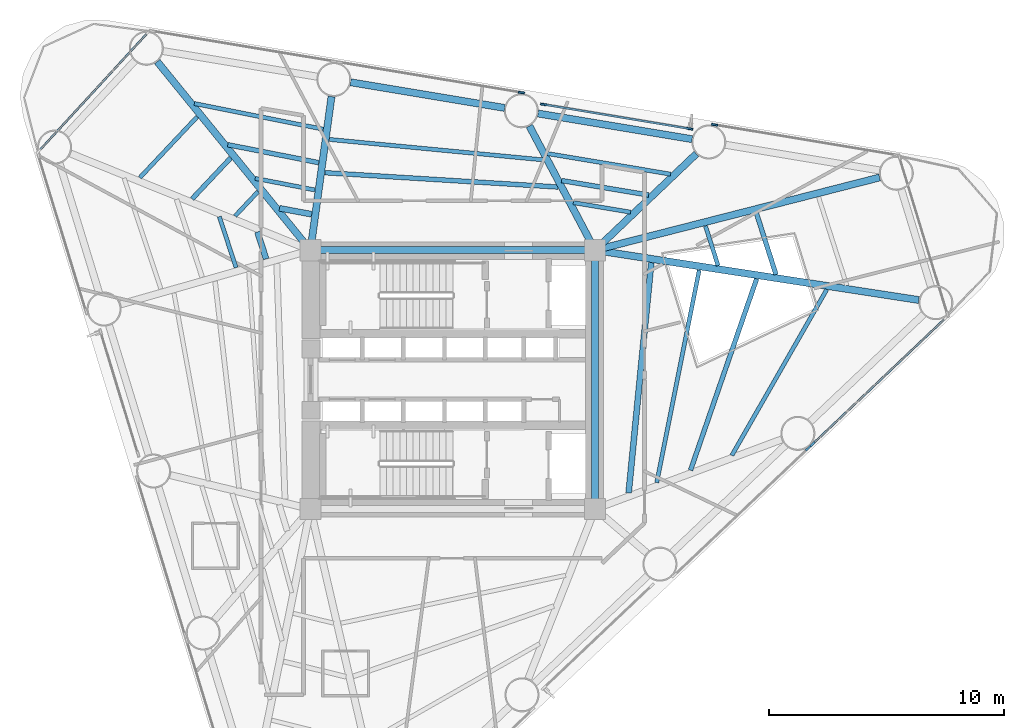
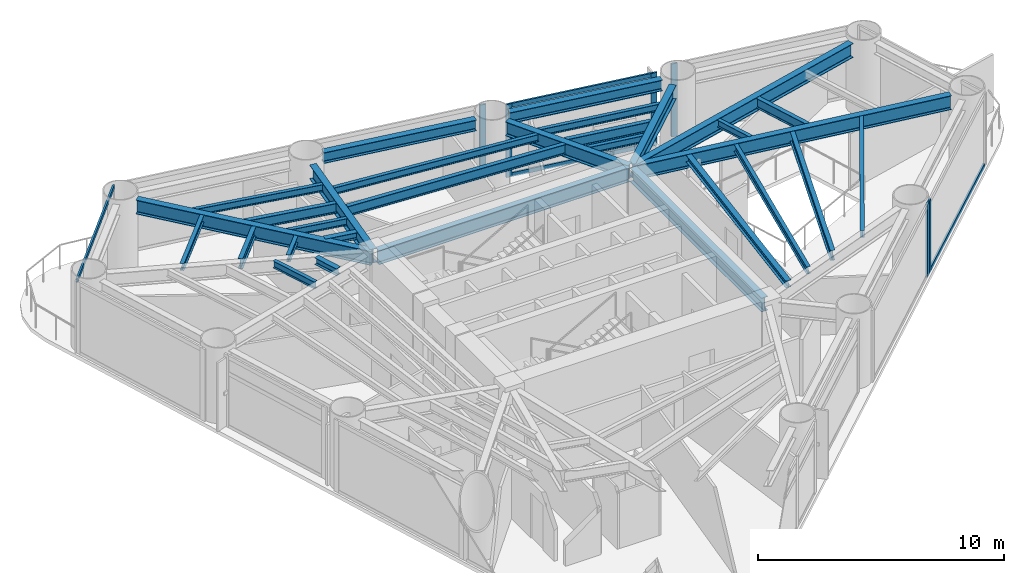
# One storey, part 3 of 10: 30 beams, 11 members, 6 elements without a shape of their own.
"""IFC4 building model written with IfcOpenShell, lengths in metres."""

from ifc_helpers import new_model, si_unit, direction, frame, origin, origin_2d, place, context, subcontext, project, spatial, rectangle, i_section, extrude, source, transform, mapped, material, layer, layer_set, material_profile, profile_set, type_object, element, aggregate, save


model = new_model("IFC4")

# Units and contexts
model_context = context("Model", 3, precision=1e-05, world=origin(), true_north=direction((0.0, 1.0)))
body_context = subcontext(model_context, "Body", "Model", "MODEL_VIEW")
ifc_project = project(units=[si_unit("LENGTHUNIT", "METRE"), si_unit("AREAUNIT", "SQUARE_METRE"), si_unit("VOLUMEUNIT", "CUBIC_METRE"), si_unit("PLANEANGLEUNIT", "RADIAN"), si_unit("MASSUNIT", "GRAM", prefix="KILO")], contexts=[model_context])

# Site, building, storey
site_placement = place(None, origin())
site = spatial("IfcSite", under=ifc_project, at=site_placement, CompositionType="ELEMENT")
building_placement = place(site_placement, origin())
building = spatial("IfcBuilding", under=site, at=building_placement, Name="Yunling Apex Tower", CompositionType="ELEMENT")
storey_placement = place(building_placement, frame((0.0, 0.0, 116.14990234375)))
storey = spatial("IfcBuildingStorey", under=building, at=storey_placement, Name="L29", CompositionType="ELEMENT", Elevation=116.14990234375)

# Beams
ifc_material_1 = material(Name="Steel Q355B", Category="steel")
ifc_material_profile_1 = material_profile(ifc_material_1, i_section(OverallWidth=0.300048828125, OverallDepth=0.699951171875, WebThickness=0.012939453125, FlangeThickness=0.02392578125, FilletRadius=0.02587890625, at=origin_2d()))
ifc_profile_set_1 = profile_set([ifc_material_profile_1], Name="Steel Q355B")
beam_type_1 = type_object("IfcBeamType", Name="BG-PRI-3", PredefinedType="USERDEFINED", material=ifc_profile_set_1)
shared_shape_1 = source(origin(), body_context, "Body", "SweptSolid", [
    extrude(i_section(OverallWidth=0.300048828125, OverallDepth=0.699951171875, WebThickness=0.012939453125, FlangeThickness=0.02392578125, FilletRadius=0.02587890625, at=origin_2d()), origin(), (0.0, 0.0, 1.0), 11.7998046875),
])
beam_1_placement = place(storey_placement, frame((5.89990234375, 5.5, 3.18017578125), z_axis=(-1.0, 0.0, 0.0), x_axis=(0.0, -1.0, 0.0)))
element("IfcBeam", 1, at=beam_1_placement, inside=storey, type_object=beam_type_1, Name="L29 Core Ring Tie Beam 3", ObjectType="GIRDER", PredefinedType="USERDEFINED", context=body_context, shape_type="MappedRepresentation", body=[
    mapped(shared_shape_1, transform((0.0, 0.0, 0.0), scale=1.0)),
])
shared_shape_2 = source(origin(), body_context, "Body", "SweptSolid", [
    extrude(i_section(OverallWidth=0.300048828125, OverallDepth=0.699951171875, WebThickness=0.012939453125, FlangeThickness=0.02392578125, FilletRadius=0.02587890625, at=origin_2d()), origin(), (0.0, 0.0, 1.0), 10.7001953125),
])
beam_2_placement = place(storey_placement, frame((6.050048828125, -5.35009765625, 3.18017578125), z_axis=(0.0, 1.0, 0.0), x_axis=(-1.0, 0.0, 0.0)))
element("IfcBeam", 2, at=beam_2_placement, inside=storey, type_object=beam_type_1, Name="L29 Core Ring Tie Beam 2", ObjectType="GIRDER", PredefinedType="USERDEFINED", context=body_context, shape_type="MappedRepresentation", body=[
    mapped(shared_shape_2, transform((0.0, 0.0, 0.0), scale=1.0)),
])
ifc_material_profile_2 = material_profile(ifc_material_1, i_section(OverallWidth=0.300048828125, OverallDepth=0.5400390625, WebThickness=0.011962890625, FlangeThickness=0.02001953125, FilletRadius=0.02392578125, at=origin_2d()))
ifc_profile_set_2 = profile_set([ifc_material_profile_2], Name="Steel Q355B")
beam_type_2 = type_object("IfcBeamType", Name="BP-SPN-1", PredefinedType="SPANDREL", material=ifc_profile_set_2)
shared_shape_3 = source(origin(), body_context, "Body", "SweptSolid", [
    extrude(i_section(OverallWidth=0.300048828125, OverallDepth=0.5400390625, WebThickness=0.011962890625, FlangeThickness=0.02001953125, FilletRadius=0.02392578125, at=origin_2d()), origin(), (0.0, 0.0, 1.0), 6.641845703125),
])
for number, where, z_axis, x_axis, name in (
    (3, (10.176025390625, 10.21923828125, 3.260009765625), (-0.986402863526, 0.164345340146, 0.0), (-0.164345340146, -0.986402863526, 0.0), "L29 Perimeter Spandrel Beam 7"),
    (4, (2.206298828125, 11.547119140625, 3.260009765625), (-0.986396904036, 0.164381105081, 0.0), (-0.164381105081, -0.986396904036, 0.0), "L29 Perimeter Spandrel Beam 8"),
):
    element("IfcBeam", number, at=place(storey_placement, frame(where, z_axis=z_axis, x_axis=x_axis)), inside=storey, type_object=beam_type_2, Name=name, PredefinedType="SPANDREL", context=body_context, shape_type="MappedRepresentation", body=[
        mapped(shared_shape_3, transform((0.0, 0.0, 0.0), scale=1.0)),
    ])
shared_shape_4 = source(origin(), body_context, "Body", "SweptSolid", [
    extrude(i_section(OverallWidth=0.300048828125, OverallDepth=0.699951171875, WebThickness=0.012939453125, FlangeThickness=0.02392578125, FilletRadius=0.02587890625, at=origin_2d()), origin(), (0.0, 0.0, 1.0), 12.404052734375),
])
beam_3_placement = place(storey_placement, frame((18.14501953125, 8.591552734375, 3.18017578125), z_axis=(-0.968850823376, -0.247645072723, 0.0), x_axis=(0.247645072723, -0.968850823376, 0.0)))
element("IfcBeam", 5, at=beam_3_placement, inside=storey, type_object=beam_type_1, Name="L29 Radial Primary Girder R06", ObjectType="GIRDER", PredefinedType="USERDEFINED", context=body_context, shape_type="MappedRepresentation", body=[
    mapped(shared_shape_4, transform((0.0, 0.0, 0.0), scale=1.0)),
])
shared_shape_5 = source(origin(), body_context, "Body", "SweptSolid", [
    extrude(i_section(OverallWidth=0.300048828125, OverallDepth=0.699951171875, WebThickness=0.012939453125, FlangeThickness=0.02392578125, FilletRadius=0.02587890625, at=origin_2d()), origin(), (0.0, 0.0, 1.0), 5.861572265625),
])
beam_4_placement = place(storey_placement, frame((10.354248046875, 9.595703125, 3.18017578125), z_axis=(-0.724444921608, -0.689332688588, 0.0), x_axis=(0.689332688588, -0.724444921608, 0.0)))
element("IfcBeam", 6, at=beam_4_placement, inside=storey, type_object=beam_type_1, Name="L29 Radial Primary Girder R07", ObjectType="GIRDER", PredefinedType="USERDEFINED", context=body_context, shape_type="MappedRepresentation", body=[
    mapped(shared_shape_5, transform((0.0, 0.0, 0.0), scale=1.0)),
])
shared_shape_6 = source(origin(), body_context, "Body", "SweptSolid", [
    extrude(i_section(OverallWidth=0.300048828125, OverallDepth=0.699951171875, WebThickness=0.012939453125, FlangeThickness=0.02392578125, FilletRadius=0.02587890625, at=origin_2d()), origin(), (0.0, 0.0, 1.0), 5.8935546875),
])
beam_5_placement = place(storey_placement, frame((3.258056640625, 10.781005859375, 3.18017578125), z_axis=(0.467396595772, -0.884047748858, 0.0), x_axis=(0.884047748858, 0.467396595772, 0.0)))
element("IfcBeam", 7, at=beam_5_placement, inside=storey, type_object=beam_type_1, Name="L29 Radial Primary Girder R08", ObjectType="GIRDER", PredefinedType="USERDEFINED", context=body_context, shape_type="MappedRepresentation", body=[
    mapped(shared_shape_6, transform((0.0, 0.0, 0.0), scale=1.0)),
])
shared_shape_7 = source(origin(), body_context, "Body", "SweptSolid", [
    extrude(i_section(OverallWidth=0.300048828125, OverallDepth=0.699951171875, WebThickness=0.012939453125, FlangeThickness=0.02392578125, FilletRadius=0.02587890625, at=origin_2d()), origin(), (0.0, 0.0, 1.0), 6.51171875),
])
beam_6_placement = place(storey_placement, frame((-5.154052734375, 12.03076171875, 3.18017578125), z_axis=(-0.135907866291, -0.990721480478, 0.0), x_axis=(0.990721480478, -0.135907866291, 0.0)))
element("IfcBeam", 8, at=beam_6_placement, inside=storey, type_object=beam_type_1, Name="L29 Radial Primary Girder R09", ObjectType="GIRDER", PredefinedType="USERDEFINED", context=body_context, shape_type="MappedRepresentation", body=[
    mapped(shared_shape_7, transform((0.0, 0.0, 0.0), scale=1.0)),
])
shared_shape_8 = source(origin(), body_context, "Body", "SweptSolid", [
    extrude(i_section(OverallWidth=0.300048828125, OverallDepth=0.699951171875, WebThickness=0.012939453125, FlangeThickness=0.02392578125, FilletRadius=0.02587890625, at=origin_2d()), origin(), (0.0, 0.0, 1.0), 10.248046875),
])
beam_7_placement = place(storey_placement, frame((-12.56201171875, 13.51611328125, 3.18017578125), z_axis=(0.630531635465, -0.776163550212, 0.0), x_axis=(0.776163550212, 0.630531635465, 0.0)))
element("IfcBeam", 9, at=beam_7_placement, inside=storey, type_object=beam_type_1, Name="L29 Radial Primary Girder R10", ObjectType="GIRDER", PredefinedType="USERDEFINED", context=body_context, shape_type="MappedRepresentation", body=[
    mapped(shared_shape_8, transform((0.0, 0.0, 0.0), scale=1.0)),
])
ifc_material_profile_3 = material_profile(ifc_material_1, i_section(OverallWidth=0.199951171875, OverallDepth=0.5, WebThickness=0.010009765625, FlangeThickness=0.01611328125, FilletRadius=0.02001953125, at=origin_2d()))
ifc_profile_set_3 = profile_set([ifc_material_profile_3], Name="Steel Q355B")
beam_type_3 = type_object("IfcBeamType", Name="BS-SEC-2", PredefinedType="BEAM", material=ifc_profile_set_3)
shared_shape_9 = source(origin(), body_context, "Body", "SweptSolid", [
    extrude(i_section(OverallWidth=0.199951171875, OverallDepth=0.5, WebThickness=0.010009765625, FlangeThickness=0.01611328125, FilletRadius=0.02001953125, at=origin_2d()), origin(), (0.0, 0.0, 1.0), 3.751708984375),
])
beam_8_placement = place(storey_placement, frame((8.328125, 7.84423828125, 3.280029296875), z_axis=(-0.986342871573, 0.164705008112, 0.0), x_axis=(-0.164705008112, -0.986342871573, 0.0)))
element("IfcBeam", 10, at=beam_8_placement, inside=storey, type_object=beam_type_3, Name="L29 Composite Floor Beam BS-7", PredefinedType="BEAM", context=body_context, shape_type="MappedRepresentation", body=[
    mapped(shared_shape_9, transform((0.0, 0.0, 0.0), scale=1.0)),
])
ifc_material_profile_4 = material_profile(ifc_material_1, i_section(OverallWidth=0.175048828125, OverallDepth=0.35009765625, WebThickness=0.007080078125, FlangeThickness=0.010986328125, FilletRadius=0.013916015625, at=origin_2d()))
ifc_profile_set_4 = profile_set([ifc_material_profile_4], Name="Steel Q355B")
beam_type_4 = type_object("IfcBeamType", Name="BJ-JST-1", PredefinedType="JOIST", material=ifc_profile_set_4)
shared_shape_10 = source(origin(), body_context, "Body", "SweptSolid", [
    extrude(i_section(OverallWidth=0.175048828125, OverallDepth=0.35009765625, WebThickness=0.007080078125, FlangeThickness=0.010986328125, FilletRadius=0.013916015625, at=origin_2d()), origin(), (0.0, 0.0, 1.0), 5.31298828125),
])
beam_9_placement = place(storey_placement, frame((9.26220703125, 8.733154296875, 3.35498046875), z_axis=(-0.9863379805, 0.164734295835, 0.0), x_axis=(-0.164734295835, -0.9863379805, 0.0)))
element("IfcBeam", 11, at=beam_9_placement, inside=storey, type_object=beam_type_4, Name="L29 Composite Floor Joist BJ1-7", PredefinedType="JOIST", context=body_context, shape_type="MappedRepresentation", body=[
    mapped(shared_shape_10, transform((0.0, 0.0, 0.0), scale=1.0)),
])
shared_shape_11 = source(origin(), body_context, "Body", "SweptSolid", [
    extrude(i_section(OverallWidth=0.175048828125, OverallDepth=0.35009765625, WebThickness=0.007080078125, FlangeThickness=0.010986328125, FilletRadius=0.013916015625, at=origin_2d()), origin(), (0.0, 0.0, 1.0), 2.4736328125),
])
beam_10_placement = place(storey_placement, frame((7.563720703125, 7.116943359375, 3.35498046875), z_axis=(-0.986340524185, 0.164719064925, 0.0), x_axis=(-0.164719064925, -0.986340524185, 0.0)))
element("IfcBeam", 12, at=beam_10_placement, inside=storey, type_object=beam_type_4, Name="L29 Composite Floor Joist BJ3-7", PredefinedType="JOIST", context=body_context, shape_type="MappedRepresentation", body=[
    mapped(shared_shape_11, transform((0.0, 0.0, 0.0), scale=1.0)),
])
shared_shape_12 = source(origin(), body_context, "Body", "SweptSolid", [
    extrude(i_section(OverallWidth=0.199951171875, OverallDepth=0.5, WebThickness=0.010009765625, FlangeThickness=0.01611328125, FilletRadius=0.02001953125, at=origin_2d()), origin(), (0.0, 0.0, 1.0), 9.931396484375),
])
beam_11_placement = place(storey_placement, frame((4.4755859375, 8.185791015625, 3.280029296875), z_axis=(-0.998115763158, 0.061358971106, 0.0), x_axis=(-0.061358971106, -0.998115763158, 0.0)))
element("IfcBeam", 13, at=beam_11_placement, inside=storey, type_object=beam_type_3, Name="L29 Composite Floor Beam BS-8", PredefinedType="BEAM", context=body_context, shape_type="MappedRepresentation", body=[
    mapped(shared_shape_12, transform((0.0, 0.0, 0.0), scale=1.0)),
])
shared_shape_13 = source(origin(), body_context, "Body", "SweptSolid", [
    extrude(i_section(OverallWidth=0.175048828125, OverallDepth=0.35009765625, WebThickness=0.007080078125, FlangeThickness=0.010986328125, FilletRadius=0.013916015625, at=origin_2d()), origin(), (0.0, 0.0, 1.0), 9.154296875),
])
beam_12_placement = place(storey_placement, frame((3.8701171875, 9.33740234375, 3.35498046875), z_axis=(-0.99545727606, 0.095209303851, 0.0), x_axis=(-0.095209303851, -0.99545727606, 0.0)))
element("IfcBeam", 14, at=beam_12_placement, inside=storey, type_object=beam_type_4, Name="L29 Composite Floor Joist BJ1-8", PredefinedType="JOIST", context=body_context, shape_type="MappedRepresentation", body=[
    mapped(shared_shape_13, transform((0.0, 0.0, 0.0), scale=1.0)),
])
shared_shape_14 = source(origin(), body_context, "Body", "SweptSolid", [
    extrude(i_section(OverallWidth=0.199951171875, OverallDepth=0.5, WebThickness=0.010009765625, FlangeThickness=0.01611328125, FilletRadius=0.02001953125, at=origin_2d()), origin(), (0.0, 0.0, 1.0), 3.93603515625),
])
beam_13_placement = place(storey_placement, frame((-5.700439453125, 9.22314453125, 3.280029296875), z_axis=(-0.981071392503, 0.193646386002, 0.0), x_axis=(-0.193646386002, -0.981071392503, 0.0)))
element("IfcBeam", 15, at=beam_13_placement, inside=storey, type_object=beam_type_3, Name="L29 Composite Floor Beam BS-9", PredefinedType="BEAM", context=body_context, shape_type="MappedRepresentation", body=[
    mapped(shared_shape_14, transform((0.0, 0.0, 0.0), scale=1.0)),
])
shared_shape_15 = source(origin(), body_context, "Body", "SweptSolid", [
    extrude(i_section(OverallWidth=0.175048828125, OverallDepth=0.35009765625, WebThickness=0.007080078125, FlangeThickness=0.010986328125, FilletRadius=0.013916015625, at=origin_2d()), origin(), (0.0, 0.0, 1.0), 5.5859375),
])
beam_14_placement = place(storey_placement, frame((-5.505615234375, 10.642822265625, 3.35498046875), z_axis=(-0.980703200221, 0.195502514243, 0.0), x_axis=(-0.195502514243, -0.980703200221, 0.0)))
element("IfcBeam", 16, at=beam_14_placement, inside=storey, type_object=beam_type_4, Name="L29 Composite Floor Joist BJ1-9", PredefinedType="JOIST", context=body_context, shape_type="MappedRepresentation", body=[
    mapped(shared_shape_15, transform((0.0, 0.0, 0.0), scale=1.0)),
])
shared_shape_16 = source(origin(), body_context, "Body", "SweptSolid", [
    extrude(i_section(OverallWidth=0.175048828125, OverallDepth=0.35009765625, WebThickness=0.007080078125, FlangeThickness=0.010986328125, FilletRadius=0.013916015625, at=origin_2d()), origin(), (0.0, 0.0, 1.0), 2.586181640625),
])
beam_15_placement = place(storey_placement, frame((-5.85986328125, 8.061279296875, 3.35498046875), z_axis=(-0.981668903035, 0.190594241295, 0.0), x_axis=(-0.190594241295, -0.981668903035, 0.0)))
element("IfcBeam", 17, at=beam_15_placement, inside=storey, type_object=beam_type_4, Name="L29 Composite Floor Joist BJ3-9", PredefinedType="JOIST", context=body_context, shape_type="MappedRepresentation", body=[
    mapped(shared_shape_16, transform((0.0, 0.0, 0.0), scale=1.0)),
])
ifc_material_profile_5 = material_profile(ifc_material_1, i_section(OverallWidth=0.25, OverallDepth=0.340087890625, WebThickness=0.009033203125, FlangeThickness=0.013916015625, FilletRadius=0.01806640625, at=origin_2d()))
ifc_profile_set_5 = profile_set([ifc_material_profile_5], Name="Steel Q355B")
beam_type_5 = type_object("IfcBeamType", Name="BJ-JST-2", PredefinedType="JOIST", material=ifc_profile_set_5)
shared_shape_17 = source(origin(), body_context, "Body", "SweptSolid", [
    extrude(i_section(OverallWidth=0.25, OverallDepth=0.340087890625, WebThickness=0.009033203125, FlangeThickness=0.013916015625, FilletRadius=0.01806640625, at=origin_2d()), origin(), (0.0, 0.0, 1.0), 1.38671875),
])
beam_16_placement = place(storey_placement, frame((-6.001708984375, 7.028076171875, 3.360107421875), z_axis=(-0.982993560329, 0.183640029272, 0.0), x_axis=(-0.183640029272, -0.982993560329, 0.0)))
element("IfcBeam", 18, at=beam_16_placement, inside=storey, type_object=beam_type_5, Name="L29 Composite Floor Joist BJ2-9", PredefinedType="JOIST", context=body_context, shape_type="MappedRepresentation", body=[
    mapped(shared_shape_17, transform((0.0, 0.0, 0.0), scale=1.0)),
])
shared_shape_18 = source(origin(), body_context, "Body", "SweptSolid", [
    extrude(i_section(OverallWidth=0.199951171875, OverallDepth=0.5, WebThickness=0.010009765625, FlangeThickness=0.01611328125, FilletRadius=0.02001953125, at=origin_2d()), origin(), (0.0, 0.0, 1.0), 2.385498046875),
])
beam_17_placement = place(storey_placement, frame((-9.44091796875, 9.422607421875, 3.280029296875), z_axis=(-0.685604091154, -0.727974608207, 0.0), x_axis=(0.727974608207, -0.685604091154, 0.0)))
element("IfcBeam", 19, at=beam_17_placement, inside=storey, type_object=beam_type_3, Name="L29 Composite Floor Beam BS-10", PredefinedType="BEAM", context=body_context, shape_type="MappedRepresentation", body=[
    mapped(shared_shape_18, transform((0.0, 0.0, 0.0), scale=1.0)),
])
shared_shape_19 = source(origin(), body_context, "Body", "SweptSolid", [
    extrude(i_section(OverallWidth=0.175048828125, OverallDepth=0.35009765625, WebThickness=0.007080078125, FlangeThickness=0.010986328125, FilletRadius=0.013916015625, at=origin_2d()), origin(), (0.0, 0.0, 1.0), 3.558349609375),
])
beam_18_placement = place(storey_placement, frame((-10.862548828125, 11.172607421875, 3.35498046875), z_axis=(-0.685976545908, -0.727623651666, 0.0), x_axis=(0.727623651666, -0.685976545908, 0.0)))
element("IfcBeam", 20, at=beam_18_placement, inside=storey, type_object=beam_type_4, Name="L29 Composite Floor Joist BJ1-10", PredefinedType="JOIST", context=body_context, shape_type="MappedRepresentation", body=[
    mapped(shared_shape_19, transform((0.0, 0.0, 0.0), scale=1.0)),
])
shared_shape_20 = source(origin(), body_context, "Body", "SweptSolid", [
    extrude(i_section(OverallWidth=0.175048828125, OverallDepth=0.35009765625, WebThickness=0.007080078125, FlangeThickness=0.010986328125, FilletRadius=0.013916015625, at=origin_2d()), origin(), (0.0, 0.0, 1.0), 1.42578125),
])
beam_19_placement = place(storey_placement, frame((-8.277587890625, 7.99072265625, 3.35498046875), z_axis=(-0.68493728069, -0.728602032334, 0.0), x_axis=(0.728602032334, -0.68493728069, 0.0)))
element("IfcBeam", 21, at=beam_19_placement, inside=storey, type_object=beam_type_4, Name="L29 Composite Floor Joist BJ3-10", PredefinedType="JOIST", context=body_context, shape_type="MappedRepresentation", body=[
    mapped(shared_shape_20, transform((0.0, 0.0, 0.0), scale=1.0)),
])
shared_shape_21 = source(origin(), body_context, "Body", "SweptSolid", [
    extrude(i_section(OverallWidth=0.175048828125, OverallDepth=0.35009765625, WebThickness=0.007080078125, FlangeThickness=0.010986328125, FilletRadius=0.013916015625, at=origin_2d()), origin(), (0.0, 0.0, 1.0), 2.277099609375),
])
beam_20_placement = place(storey_placement, frame((-9.92138671875, 6.927978515625, 3.35498046875), z_axis=(0.311044342957, -0.950395400196, 0.0), x_axis=(0.950395400196, 0.311044342957, 0.0)))
element("IfcBeam", 22, at=beam_20_placement, inside=storey, type_object=beam_type_4, Name="L29 Composite Floor Joist BJ3-11", PredefinedType="JOIST", context=body_context, shape_type="MappedRepresentation", body=[
    mapped(shared_shape_21, transform((0.0, 0.0, 0.0), scale=1.0)),
])
shared_shape_22 = source(origin(), body_context, "Body", "SweptSolid", [
    extrude(i_section(OverallWidth=0.25, OverallDepth=0.340087890625, WebThickness=0.009033203125, FlangeThickness=0.013916015625, FilletRadius=0.01806640625, at=origin_2d()), origin(), (0.0, 0.0, 1.0), 1.2041015625),
])
beam_21_placement = place(storey_placement, frame((-8.302490234375, 6.275146484375, 3.360107421875), z_axis=(0.306173262139, -0.951975805129, 0.0), x_axis=(0.951975805129, 0.306173262139, 0.0)))
element("IfcBeam", 23, at=beam_21_placement, inside=storey, type_object=beam_type_5, Name="L29 Composite Floor Joist BJ2-11", PredefinedType="JOIST", context=body_context, shape_type="MappedRepresentation", body=[
    mapped(shared_shape_22, transform((0.0, 0.0, 0.0), scale=1.0)),
])
shared_shape_23 = source(origin(), body_context, "Body", "SweptSolid", [
    extrude(i_section(OverallWidth=0.300048828125, OverallDepth=0.699951171875, WebThickness=0.012939453125, FlangeThickness=0.02392578125, FilletRadius=0.02587890625, at=origin_2d()), origin(), (0.0, 0.0, 1.0), 13.844970703125),
])
beam_22_placement = place(storey_placement, frame((19.81298828125, 3.382080078125, 3.18017578125), z_axis=(-0.988366192759, 0.15209296174, 0.0), x_axis=(-0.15209296174, -0.988366192759, 0.0)))
element("IfcBeam", 24, at=beam_22_placement, inside=storey, type_object=beam_type_1, Name="L29 Radial Primary Girder R05", ObjectType="GIRDER", PredefinedType="USERDEFINED", context=body_context, shape_type="MappedRepresentation", body=[
    mapped(shared_shape_23, transform((0.0, 0.0, 0.0), scale=1.0)),
])
shared_shape_24 = source(origin(), body_context, "Body", "SweptSolid", [
    extrude(i_section(OverallWidth=0.199951171875, OverallDepth=0.5, WebThickness=0.010009765625, FlangeThickness=0.01611328125, FilletRadius=0.02001953125, at=origin_2d()), origin(), (0.0, 0.0, 1.0), 8.611572265625),
])
beam_23_placement = place(storey_placement, frame((10.107666015625, -3.856201171875, 3.280029296875), z_axis=(0.326449335214, 0.945214701292, 0.0), x_axis=(-0.945214701292, 0.326449335214, 0.0)))
element("IfcBeam", 25, at=beam_23_placement, inside=storey, type_object=beam_type_3, Name="L29 Composite Floor Beam BS-4", PredefinedType="BEAM", context=body_context, shape_type="MappedRepresentation", body=[
    mapped(shared_shape_24, transform((0.0, 0.0, 0.0), scale=1.0)),
])
shared_shape_25 = source(origin(), body_context, "Body", "SweptSolid", [
    extrude(i_section(OverallWidth=0.175048828125, OverallDepth=0.35009765625, WebThickness=0.007080078125, FlangeThickness=0.010986328125, FilletRadius=0.013916015625, at=origin_2d()), origin(), (0.0, 0.0, 1.0), 8.130615234375),
])
beam_24_placement = place(storey_placement, frame((11.8642578125, -3.224365234375, 3.35498046875), z_axis=(0.496620683831, 0.867967681651, 0.0), x_axis=(-0.867967681651, 0.496620683831, 0.0)))
element("IfcBeam", 26, at=beam_24_placement, inside=storey, type_object=beam_type_4, Name="L29 Composite Floor Joist BJ1-4", PredefinedType="JOIST", context=body_context, shape_type="MappedRepresentation", body=[
    mapped(shared_shape_25, transform((0.0, 0.0, 0.0), scale=1.0)),
])
shared_shape_26 = source(origin(), body_context, "Body", "SweptSolid", [
    extrude(i_section(OverallWidth=0.175048828125, OverallDepth=0.35009765625, WebThickness=0.007080078125, FlangeThickness=0.010986328125, FilletRadius=0.013916015625, at=origin_2d()), origin(), (0.0, 0.0, 1.0), 9.21337890625),
])
beam_25_placement = place(storey_placement, frame((8.671875, -4.3779296875, 3.35498046875), z_axis=(0.195876623967, 0.980628547506, 0.0), x_axis=(-0.980628547506, 0.195876623967, 0.0)))
element("IfcBeam", 27, at=beam_25_placement, inside=storey, type_object=beam_type_4, Name="L29 Composite Floor Joist BJ3-4", PredefinedType="JOIST", context=body_context, shape_type="MappedRepresentation", body=[
    mapped(shared_shape_26, transform((0.0, 0.0, 0.0), scale=1.0)),
])
shared_shape_27 = source(origin(), body_context, "Body", "SweptSolid", [
    extrude(i_section(OverallWidth=0.25, OverallDepth=0.340087890625, WebThickness=0.009033203125, FlangeThickness=0.013916015625, FilletRadius=0.01806640625, at=origin_2d()), origin(), (0.0, 0.0, 1.0), 9.832763671875),
])
beam_26_placement = place(storey_placement, frame((7.47705078125, -4.81494140625, 3.360107421875), z_axis=(0.097900767026, 0.995196181572, 0.0), x_axis=(-0.995196181572, 0.097900767026, 0.0)))
element("IfcBeam", 28, at=beam_26_placement, inside=storey, type_object=beam_type_5, Name="L29 Composite Floor Joist BJ2-4", PredefinedType="JOIST", context=body_context, shape_type="MappedRepresentation", body=[
    mapped(shared_shape_27, transform((0.0, 0.0, 0.0), scale=1.0)),
])
shared_shape_28 = source(origin(), body_context, "Body", "SweptSolid", [
    extrude(i_section(OverallWidth=0.199951171875, OverallDepth=0.5, WebThickness=0.010009765625, FlangeThickness=0.01611328125, FilletRadius=0.02001953125, at=origin_2d()), origin(), (0.0, 0.0, 1.0), 2.7568359375),
])
beam_27_placement = place(storey_placement, frame((13.743408203125, 4.4609375, 3.280029296875), z_axis=(-0.303766544246, 0.952746496502, 0.0), x_axis=(-0.952746496502, -0.303766544246, 0.0)))
element("IfcBeam", 29, at=beam_27_placement, inside=storey, type_object=beam_type_3, Name="L29 Composite Floor Beam BS-5", PredefinedType="BEAM", context=body_context, shape_type="MappedRepresentation", body=[
    mapped(shared_shape_28, transform((0.0, 0.0, 0.0), scale=1.0)),
])
shared_shape_29 = source(origin(), body_context, "Body", "SweptSolid", [
    extrude(i_section(OverallWidth=0.175048828125, OverallDepth=0.35009765625, WebThickness=0.007080078125, FlangeThickness=0.010986328125, FilletRadius=0.013916015625, at=origin_2d()), origin(), (0.0, 0.0, 1.0), 1.777587890625),
])
beam_28_placement = place(storey_placement, frame((11.280517578125, 4.840087890625, 3.35498046875), z_axis=(-0.302557348008, 0.953131182559, 0.0), x_axis=(-0.953131182559, -0.302557348008, 0.0)))
element("IfcBeam", 30, at=beam_28_placement, inside=storey, type_object=beam_type_4, Name="L29 Composite Floor Joist BJ3-5", PredefinedType="JOIST", context=body_context, shape_type="MappedRepresentation", body=[
    mapped(shared_shape_29, transform((0.0, 0.0, 0.0), scale=1.0)),
])

# Curtain wall, member
ifc_material_2 = material(Name="Bronze anodised aluminium", Category="aluminium")
ifc_layer = layer(ifc_material_2, 0.260009765625)
ifc_layer_set = layer_set([ifc_layer], Name="Bronze anodised aluminium")
curtain_wall_type = type_object("IfcCurtainWallType", Name="CW-SYS-2", PredefinedType="NOTDEFINED", material=ifc_layer_set)
curtain_wall_1_placement = place(storey_placement, origin())
curtain_wall_1 = element("IfcCurtainWall", 31, at=curtain_wall_1_placement, inside=storey, type_object=curtain_wall_type, Name="CW-L29-F1-B3", PredefinedType="NOTDEFINED")
ifc_material_profile_6 = material_profile(ifc_material_2, rectangle(XDim=0.0849609375, YDim=0.260009765625, at=origin_2d()))
ifc_profile_set_6 = profile_set([ifc_material_profile_6], Name="Bronze anodised aluminium")
member_type_1 = type_object("IfcMemberType", Name="CW-MUL-2", PredefinedType="MULLION", material=ifc_profile_set_6)
shared_shape_30 = source(origin(), body_context, "Body", "SweptSolid", [
    extrude(rectangle(XDim=0.0849609375, YDim=0.260009765625, at=origin_2d()), origin(), (0.0, 0.0, 1.0), 3.6298828125),
])
member_1_placement = place(storey_placement, frame((15.106689453125, -2.923095703125, -0.0498046875), z_axis=(0.0, 0.0, 1.0), x_axis=(-0.687861264918, 0.72584218686, 0.0)))
member_1 = element("IfcMember", 32, at=member_1_placement, type_object=member_type_1, Name="CW-SYS-2 mullion 2", PredefinedType="MULLION", context=body_context, shape_type="MappedRepresentation", body=[
    mapped(shared_shape_30, transform((0.0, 0.0, 0.0), scale=1.0)),
])
aggregate(curtain_wall_1, [member_1])

curtain_wall_2_placement = place(storey_placement, origin())
curtain_wall_2 = element("IfcCurtainWall", 33, at=curtain_wall_2_placement, inside=storey, type_object=curtain_wall_type, Name="CW-L29-F1-B4", PredefinedType="NOTDEFINED")
member_2_placement = place(storey_placement, frame((15.28466796875, -2.754638671875, -0.0498046875), z_axis=(0.0, 0.0, 1.0), x_axis=(-0.687861264918, 0.72584218686, 0.0)))
member_2 = element("IfcMember", 34, at=member_2_placement, type_object=member_type_1, Name="CW-SYS-2 mullion 1", PredefinedType="MULLION", context=body_context, shape_type="MappedRepresentation", body=[
    mapped(shared_shape_30, transform((0.0, 0.0, 0.0), scale=1.0)),
])

curtain_wall_3_placement = place(storey_placement, origin())
curtain_wall_3 = element("IfcCurtainWall", 35, at=curtain_wall_3_placement, inside=storey, type_object=curtain_wall_type, Name="CW-L29-F2-B1", PredefinedType="NOTDEFINED")
member_3_placement = place(storey_placement, frame((11.131103515625, 10.83056640625, -0.0498046875), z_axis=(0.0, 0.0, 1.0), x_axis=(-0.16436008369, -0.98640040698, 0.0)))
member_3 = element("IfcMember", 36, at=member_3_placement, type_object=member_type_1, Name="CW-SYS-2 mullion 2", PredefinedType="MULLION", context=body_context, shape_type="MappedRepresentation", body=[
    mapped(shared_shape_30, transform((0.0, 0.0, 0.0), scale=1.0)),
])
aggregate(curtain_wall_3, [member_3])

# Curtain wall, members
curtain_wall_4_placement = place(storey_placement, origin())
curtain_wall_4 = element("IfcCurtainWall", 37, at=curtain_wall_4_placement, inside=storey, type_object=curtain_wall_type, Name="CW-L29-F2-B2", PredefinedType="NOTDEFINED")
member_4_placement = place(storey_placement, frame((10.078857421875, 10.6611328125, -0.0498046875), z_axis=(0.0, 0.0, 1.0), x_axis=(-0.164355844023, -0.986401113409, 0.0)))
member_4 = element("IfcMember", 38, at=member_4_placement, type_object=member_type_1, Name="CW-SYS-2 mullion 1", PredefinedType="MULLION", context=body_context, shape_type="MappedRepresentation", body=[
    mapped(shared_shape_30, transform((0.0, 0.0, 0.0), scale=1.0)),
])
member_5_placement = place(storey_placement, frame((3.85986328125, 11.697509765625, -0.0498046875), z_axis=(0.0, 0.0, 1.0), x_axis=(-0.164355844023, -0.986401113409, 0.0)))
member_5 = element("IfcMember", 39, at=member_5_placement, type_object=member_type_1, Name="CW-SYS-2 mullion 2", PredefinedType="MULLION", context=body_context, shape_type="MappedRepresentation", body=[
    mapped(shared_shape_30, transform((0.0, 0.0, 0.0), scale=1.0)),
])

# Curtain wall, member
curtain_wall_5_placement = place(storey_placement, origin())
curtain_wall_5 = element("IfcCurtainWall", 40, at=curtain_wall_5_placement, inside=storey, type_object=curtain_wall_type, Name="CW-L29-F2-B3", PredefinedType="NOTDEFINED")
member_6_placement = place(storey_placement, frame((2.91943359375, 12.198974609375, -0.0498046875), z_axis=(0.0, 0.0, 1.0), x_axis=(-0.164362130784, -0.986400065878, 0.0)))
member_6 = element("IfcMember", 41, at=member_6_placement, type_object=member_type_1, Name="CW-SYS-2 mullion 1", PredefinedType="MULLION", context=body_context, shape_type="MappedRepresentation", body=[
    mapped(shared_shape_30, transform((0.0, 0.0, 0.0), scale=1.0)),
])
aggregate(curtain_wall_5, [member_6])

# Member
ifc_material_profile_7 = material_profile(ifc_material_2, rectangle(XDim=0.0849609375, YDim=0.199951171875, at=origin_2d()))
ifc_profile_set_7 = profile_set([ifc_material_profile_7], Name="Bronze anodised aluminium")
member_type_2 = type_object("IfcMemberType", Name="CW-TRN-2", PredefinedType="USERDEFINED", material=ifc_profile_set_7)
shared_shape_31 = source(origin(), body_context, "Body", "SweptSolid", [
    extrude(rectangle(XDim=0.0849609375, YDim=0.199951171875, at=origin_2d()), origin(), (0.0, 0.0, 1.0), 7.75830078125),
])
member_7_placement = place(storey_placement, frame((15.312255859375, -2.728271484375, 0.04248046875), z_axis=(0.725842697135, 0.687860726467, 0.0), x_axis=(-0.687860726467, 0.725842697135, 0.0)))
member_7 = element("IfcMember", 42, at=member_7_placement, type_object=member_type_2, Name="CW-SYS-2 transom 1.1", ObjectType="TRANSOM", PredefinedType="USERDEFINED", context=body_context, shape_type="MappedRepresentation", body=[
    mapped(shared_shape_31, transform((0.0, 0.0, 0.0), scale=1.0)),
])

aggregate(curtain_wall_2, [member_2, member_7])

shared_shape_32 = source(origin(), body_context, "Body", "SweptSolid", [
    extrude(rectangle(XDim=0.0849609375, YDim=0.199951171875, at=origin_2d()), origin(), (0.0, 0.0, 1.0), 6.228515625),
])
member_8_placement = place(storey_placement, frame((10.041259765625, 10.66748046875, 0.04248046875), z_axis=(-0.986401338544, 0.164354492848, 0.0), x_axis=(-0.164354492848, -0.986401338544, 0.0)))
member_8 = element("IfcMember", 43, at=member_8_placement, type_object=member_type_2, Name="CW-SYS-2 transom 1.1", ObjectType="TRANSOM", PredefinedType="USERDEFINED", context=body_context, shape_type="MappedRepresentation", body=[
    mapped(shared_shape_32, transform((0.0, 0.0, 0.0), scale=1.0)),
])

member_9_placement = place(storey_placement, frame((10.041259765625, 10.66748046875, 2.682861328125), z_axis=(-0.986401338544, 0.164354492848, 0.0), x_axis=(-0.164354492848, -0.986401338544, 0.0)))
member_9 = element("IfcMember", 44, at=member_9_placement, type_object=member_type_2, Name="CW-SYS-2 transom 1.2", ObjectType="TRANSOM", PredefinedType="USERDEFINED", context=body_context, shape_type="MappedRepresentation", body=[
    mapped(shared_shape_32, transform((0.0, 0.0, 0.0), scale=1.0)),
])

member_10_placement = place(storey_placement, frame((10.041259765625, 10.66748046875, 3.487548828125), z_axis=(-0.986401338544, 0.164354492848, 0.0), x_axis=(-0.164354492848, -0.986401338544, 0.0)))
member_10 = element("IfcMember", 45, at=member_10_placement, type_object=member_type_2, Name="CW-SYS-2 transom 1.3", ObjectType="TRANSOM", PredefinedType="USERDEFINED", context=body_context, shape_type="MappedRepresentation", body=[
    mapped(shared_shape_32, transform((0.0, 0.0, 0.0), scale=1.0)),
])

aggregate(curtain_wall_4, [member_4, member_5, member_8, member_9, member_10])

# Curtain wall, member
curtain_wall_6_placement = place(storey_placement, origin())
curtain_wall_6 = element("IfcCurtainWall", 46, at=curtain_wall_6_placement, inside=storey, type_object=curtain_wall_type, Name="CW-L29-CRN2", PredefinedType="NOTDEFINED")
shared_shape_33 = source(origin(), body_context, "Body", "SweptSolid", [
    extrude(rectangle(XDim=0.0849609375, YDim=0.199951171875, at=origin_2d()), origin(), (0.0, 0.0, 1.0), 6.831298828125),
])
member_11_placement = place(storey_placement, frame((-12.957275390625, 14.755615234375, 3.487548828125), z_axis=(-0.676783953504, -0.73618168972, 0.0), x_axis=(0.73618168972, -0.676783953504, 0.0)))
member_11 = element("IfcMember", 47, at=member_11_placement, type_object=member_type_2, Name="CW-SYS-2 transom 1.2", ObjectType="TRANSOM", PredefinedType="USERDEFINED", context=body_context, shape_type="MappedRepresentation", body=[
    mapped(shared_shape_33, transform((0.0, 0.0, 0.0), scale=1.0)),
])
aggregate(curtain_wall_6, [member_11])

save(model, "model.ifc")
